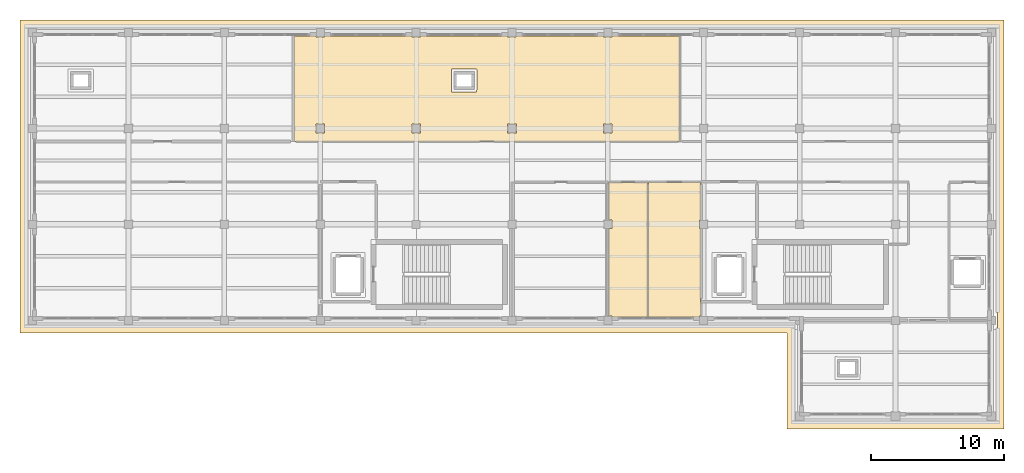
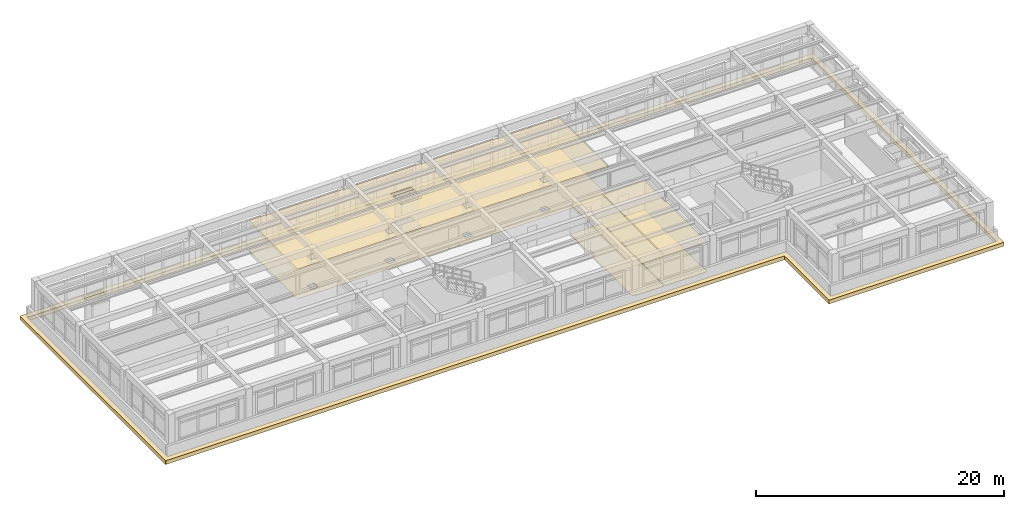
# One storey, part 18 of 19: 7 coverings.
"""IFC4 building model written with IfcOpenShell, lengths in metres."""

from ifc_helpers import new_model, si_unit, direction, frame, origin, place, context, subcontext, project, spatial, polyline, outline, extrude, material, layer, layer_set, type_object, element, save


model = new_model("IFC4")

# Units and contexts
model_context = context("Model", 3, precision=1e-05, world=origin(), true_north=direction((0.0, 1.0)))
body_context = subcontext(model_context, "Body", "Model", "MODEL_VIEW")
ifc_project = project(units=[si_unit("LENGTHUNIT", "METRE"), si_unit("AREAUNIT", "SQUARE_METRE"), si_unit("VOLUMEUNIT", "CUBIC_METRE"), si_unit("PLANEANGLEUNIT", "RADIAN"), si_unit("MASSUNIT", "GRAM", prefix="KILO")], contexts=[model_context])

# Site, building, storey
site_placement = place(None, origin())
site = spatial("IfcSite", under=ifc_project, at=site_placement, CompositionType="ELEMENT")
building_placement = place(site_placement, origin())
building = spatial("IfcBuilding", under=site, at=building_placement, Name="Solenvale Faculty of Natural Sciences", CompositionType="ELEMENT")
storey_placement = place(building_placement, frame((0.0, 0.0, 27.0)))
storey = spatial("IfcBuildingStorey", under=building, at=storey_placement, Name="L06", CompositionType="ELEMENT", Elevation=27.0)

# Coverings
ifc_material_1 = material(Name="Acoustic mineral-timber ceiling", Category="wood")
ifc_layer_1 = layer(ifc_material_1, 0.02490234375)
ifc_layer_set_1 = layer_set([ifc_layer_1], Name="Acoustic mineral-timber ceiling")
covering_type_1 = type_object("IfcCoveringType", Name="COV-CEIL-AC25", PredefinedType="CEILING", material=ifc_layer_set_1)
covering_1_placement = place(storey_placement, frame((0.0, 0.0, 2.93505859375)))
element("IfcCovering", 1, at=covering_1_placement, inside=storey, type_object=covering_type_1, Name="L06 Faculty Staff Office Acoustic Ceiling", PredefinedType="CEILING", context=body_context, shape_type="SweptSolid", body=[
    extrude(outline(polyline([(100.445068359375, 114.9599609375), (100.470947265625, 114.944091796875), (100.47509765625, 114.883056640625), (100.486083984375, 114.875), (101.115966796875, 114.875), (101.126953125, 114.94091796875), (101.155029296875, 114.9599609375), (107.64501953125, 114.9599609375), (107.6708984375, 114.944091796875), (107.675048828125, 114.883056640625), (107.68603515625, 114.875), (108.31591796875, 114.875), (108.326904296875, 114.94091796875), (108.35498046875, 114.9599609375), (114.844970703125, 114.9599609375), (114.87109375, 114.944091796875), (114.875, 114.883056640625), (114.885986328125, 114.875), (115.51611328125, 114.875), (115.527099609375, 114.94091796875), (115.554931640625, 114.9599609375), (122.044921875, 114.9599609375), (122.071044921875, 114.944091796875), (122.074951171875, 114.883056640625), (122.0859375, 114.875), (122.716064453125, 114.875), (122.72705078125, 114.94091796875), (122.7548828125, 114.9599609375), (127.759033203125, 114.958984375), (127.780029296875, 114.929931640625), (127.779052734375, 107.06103515625), (127.75, 107.0400390625), (98.861083984375, 107.041015625), (98.840087890625, 107.070068359375), (98.841064453125, 114.93603515625), (98.8701171875, 114.9599609375), (100.445068359375, 114.9599609375)]), holes=[polyline([(122.714111328125, 107.675048828125), (122.72509765625, 107.68603515625), (122.721923828125, 108.322021484375), (122.077880859375, 108.322021484375), (122.077880859375, 107.677978515625), (122.714111328125, 107.675048828125)]), polyline([(114.875, 107.68603515625), (114.885986328125, 107.675048828125), (115.52197265625, 107.677978515625), (115.52197265625, 108.322021484375), (114.8779296875, 108.322021484375), (114.875, 107.68603515625)]), polyline([(110.66796875, 112.4599609375), (110.64794921875, 112.449951171875), (110.639892578125, 112.429931640625), (110.639892578125, 110.77001953125), (110.64990234375, 110.748046875), (112.530029296875, 110.739990234375), (112.552001953125, 110.75), (112.56005859375, 112.429931640625), (112.550048828125, 112.451904296875), (110.66796875, 112.4599609375)]), polyline([(107.675048828125, 107.68603515625), (107.68603515625, 107.675048828125), (108.322021484375, 107.677978515625), (108.322021484375, 108.322021484375), (107.677978515625, 108.322021484375), (107.675048828125, 107.68603515625)]), polyline([(101.114013671875, 107.675048828125), (101.125, 107.68603515625), (101.1220703125, 108.322021484375), (100.47802734375, 108.322021484375), (100.47802734375, 107.677978515625), (101.114013671875, 107.675048828125)])]), origin(), (0.0, 0.0, 1.0), 0.02490234375),
])
covering_2_placement = place(storey_placement, frame((0.0, 0.0, 2.93505859375)))
element("IfcCovering", 2, at=covering_2_placement, inside=storey, type_object=covering_type_1, Name="L06 Accessible Washroom Acoustic Ceiling", PredefinedType="CEILING", context=body_context, shape_type="SweptSolid", body=[
    extrude(outline(polyline([(125.35009765625, 103.9599609375), (125.37109375, 103.950927734375), (125.3798828125, 103.929931640625), (125.37890625, 93.861083984375), (125.35009765625, 93.840087890625), (122.74609375, 93.841064453125), (122.72607421875, 93.861083984375), (122.718994140625, 93.924072265625), (122.467041015625, 93.925048828125), (122.43994140625, 93.955078125), (122.43994140625, 100.445068359375), (122.467041015625, 100.47509765625), (122.714111328125, 100.47509765625), (122.72509765625, 100.486083984375), (122.72412109375, 101.118896484375), (122.467041015625, 101.125), (122.43994140625, 101.152099609375), (122.44091796875, 103.93896484375), (122.469970703125, 103.9599609375), (125.35009765625, 103.9599609375)])), origin(), (0.0, 0.0, 1.0), 0.02490234375),
])
covering_3_placement = place(storey_placement, frame((0.0, 0.0, 2.93505859375)))
element("IfcCovering", 3, at=covering_3_placement, inside=storey, type_object=covering_type_1, Name="L06 Analytical Balance Room Acoustic Ceiling", PredefinedType="CEILING", context=body_context, shape_type="SweptSolid", body=[
    extrude(outline(polyline([(129.330078125, 103.9599609375), (129.35107421875, 103.950927734375), (129.360107421875, 103.929931640625), (129.360107421875, 101.155029296875), (129.341064453125, 101.126953125), (129.27490234375, 101.115966796875), (129.27490234375, 100.486083984375), (129.282958984375, 100.47509765625), (129.343994140625, 100.470947265625), (129.360107421875, 100.445068359375), (129.360107421875, 95.0), (129.3798828125, 94.950927734375), (129.3779296875, 93.944091796875), (129.35595703125, 93.926025390625), (129.279052734375, 93.923095703125), (129.27294921875, 93.85888671875), (129.2451171875, 93.840087890625), (125.458984375, 93.842041015625), (125.43994140625, 93.8701171875), (125.44189453125, 103.94091796875), (125.469970703125, 103.9599609375), (129.330078125, 103.9599609375)])), origin(), (0.0, 0.0, 1.0), 0.02490234375),
])
ifc_material_2 = material(Name="Polished slate terrazzo flooring", Category="masonry")
ifc_layer_2 = layer(ifc_material_2, 0.01806640625)
ifc_layer_set_2 = layer_set([ifc_layer_2], Name="Polished slate terrazzo flooring")
covering_type_2 = type_object("IfcCoveringType", Name="COV-FLR-TRZ18", PredefinedType="FLOORING", material=ifc_layer_set_2)
covering_4_placement = place(storey_placement, origin())
element("IfcCovering", 4, at=covering_4_placement, inside=storey, type_object=covering_type_2, Name="L06 Faculty Staff Office Floor Finish", PredefinedType="FLOORING", context=body_context, shape_type="SweptSolid", body=[
    extrude(outline(polyline([(100.445068359375, 114.9599609375), (100.470947265625, 114.944091796875), (100.47509765625, 114.883056640625), (100.486083984375, 114.875), (101.115966796875, 114.875), (101.126953125, 114.94091796875), (101.155029296875, 114.9599609375), (107.64501953125, 114.9599609375), (107.6708984375, 114.944091796875), (107.675048828125, 114.883056640625), (107.68603515625, 114.875), (108.31591796875, 114.875), (108.326904296875, 114.94091796875), (108.35498046875, 114.9599609375), (114.844970703125, 114.9599609375), (114.87109375, 114.944091796875), (114.875, 114.883056640625), (114.885986328125, 114.875), (115.51611328125, 114.875), (115.527099609375, 114.94091796875), (115.554931640625, 114.9599609375), (122.044921875, 114.9599609375), (122.071044921875, 114.944091796875), (122.074951171875, 114.883056640625), (122.0859375, 114.875), (122.716064453125, 114.875), (122.72705078125, 114.94091796875), (122.7548828125, 114.9599609375), (127.759033203125, 114.958984375), (127.780029296875, 114.929931640625), (127.779052734375, 107.06103515625), (127.75, 107.0400390625), (98.861083984375, 107.041015625), (98.840087890625, 107.070068359375), (98.841064453125, 114.93603515625), (98.8701171875, 114.9599609375), (100.445068359375, 114.9599609375)]), holes=[polyline([(122.714111328125, 107.675048828125), (122.72509765625, 107.68603515625), (122.721923828125, 108.322021484375), (122.077880859375, 108.322021484375), (122.077880859375, 107.677978515625), (122.714111328125, 107.675048828125)]), polyline([(114.875, 107.68603515625), (114.885986328125, 107.675048828125), (115.52197265625, 107.677978515625), (115.52197265625, 108.322021484375), (114.8779296875, 108.322021484375), (114.875, 107.68603515625)]), polyline([(110.66796875, 112.4599609375), (110.64794921875, 112.449951171875), (110.639892578125, 112.429931640625), (110.639892578125, 110.77001953125), (110.64990234375, 110.748046875), (112.530029296875, 110.739990234375), (112.552001953125, 110.75), (112.56005859375, 112.429931640625), (112.550048828125, 112.451904296875), (110.66796875, 112.4599609375)]), polyline([(107.675048828125, 107.68603515625), (107.68603515625, 107.675048828125), (108.322021484375, 107.677978515625), (108.322021484375, 108.322021484375), (107.677978515625, 108.322021484375), (107.675048828125, 107.68603515625)]), polyline([(101.114013671875, 107.675048828125), (101.125, 107.68603515625), (101.1220703125, 108.322021484375), (100.47802734375, 108.322021484375), (100.47802734375, 107.677978515625), (101.114013671875, 107.675048828125)])]), origin(), (0.0, 0.0, 1.0), 0.01806640625),
])
covering_5_placement = place(storey_placement, origin())
element("IfcCovering", 5, at=covering_5_placement, inside=storey, type_object=covering_type_2, Name="L06 Accessible Washroom Floor Finish", PredefinedType="FLOORING", context=body_context, shape_type="SweptSolid", body=[
    extrude(outline(polyline([(125.35009765625, 103.9599609375), (125.37109375, 103.950927734375), (125.3798828125, 103.929931640625), (125.37890625, 93.861083984375), (125.35009765625, 93.840087890625), (122.74609375, 93.841064453125), (122.72607421875, 93.861083984375), (122.718994140625, 93.924072265625), (122.467041015625, 93.925048828125), (122.43994140625, 93.955078125), (122.43994140625, 100.445068359375), (122.467041015625, 100.47509765625), (122.714111328125, 100.47509765625), (122.72509765625, 100.486083984375), (122.72412109375, 101.118896484375), (122.467041015625, 101.125), (122.43994140625, 101.152099609375), (122.44091796875, 103.93896484375), (122.469970703125, 103.9599609375), (125.35009765625, 103.9599609375)])), origin(), (0.0, 0.0, 1.0), 0.01806640625),
])
covering_6_placement = place(storey_placement, origin())
element("IfcCovering", 6, at=covering_6_placement, inside=storey, type_object=covering_type_2, Name="L06 Analytical Balance Room Floor Finish", PredefinedType="FLOORING", context=body_context, shape_type="SweptSolid", body=[
    extrude(outline(polyline([(129.330078125, 103.9599609375), (129.35107421875, 103.950927734375), (129.360107421875, 103.929931640625), (129.360107421875, 101.155029296875), (129.341064453125, 101.126953125), (129.27490234375, 101.115966796875), (129.27490234375, 100.486083984375), (129.282958984375, 100.47509765625), (129.343994140625, 100.470947265625), (129.360107421875, 100.445068359375), (129.360107421875, 95.0), (129.3798828125, 94.950927734375), (129.3779296875, 93.944091796875), (129.35595703125, 93.926025390625), (129.279052734375, 93.923095703125), (129.27294921875, 93.85888671875), (129.2451171875, 93.840087890625), (125.458984375, 93.842041015625), (125.43994140625, 93.8701171875), (125.44189453125, 103.94091796875), (125.469970703125, 103.9599609375), (129.330078125, 103.9599609375)])), origin(), (0.0, 0.0, 1.0), 0.01806640625),
])
ifc_material_3 = material(Name="Insulated EPDM roofing membrane")
ifc_layer_3 = layer(ifc_material_3, 0.06494140625)
ifc_layer_set_3 = layer_set([ifc_layer_3], Name="Insulated EPDM roofing membrane")
covering_type_3 = type_object("IfcCoveringType", Name="COV-ROOF-MEMB", PredefinedType="ROOFING", material=ifc_layer_set_3)
covering_7_placement = place(storey_placement, frame((0.0, 0.0, -0.340087890625)))
element("IfcCovering", 7, at=covering_7_placement, inside=storey, type_object=covering_type_3, Name="L06 Projecting Horizontal Bronze Concrete Tray Ledge 1", PredefinedType="CLADDING", context=body_context, shape_type="SweptSolid", body=[
    extrude(outline(polyline([(78.27001953125, 92.64990234375), (78.256103515625, 92.656005859375), (78.25, 92.669921875), (78.25, 116.1298828125), (78.263916015625, 116.14892578125), (152.1298828125, 116.14990234375), (152.14892578125, 116.135986328125), (152.14990234375, 85.469970703125), (152.135986328125, 85.450927734375), (135.862060546875, 85.451904296875), (135.85009765625, 85.469970703125), (135.85009765625, 92.64990234375), (78.27001953125, 92.64990234375)]), holes=[polyline([(78.719970703125, 93.1201171875), (136.302001953125, 93.1201171875), (136.31396484375, 93.114013671875), (136.320068359375, 93.10009765625), (136.320068359375, 85.919921875), (151.679931640625, 85.919921875), (151.679931640625, 115.679931640625), (78.719970703125, 115.679931640625), (78.719970703125, 93.1201171875)])]), origin(), (0.0, 0.0, 1.0), 0.380126953125),
])

save(model, "model.ifc")
